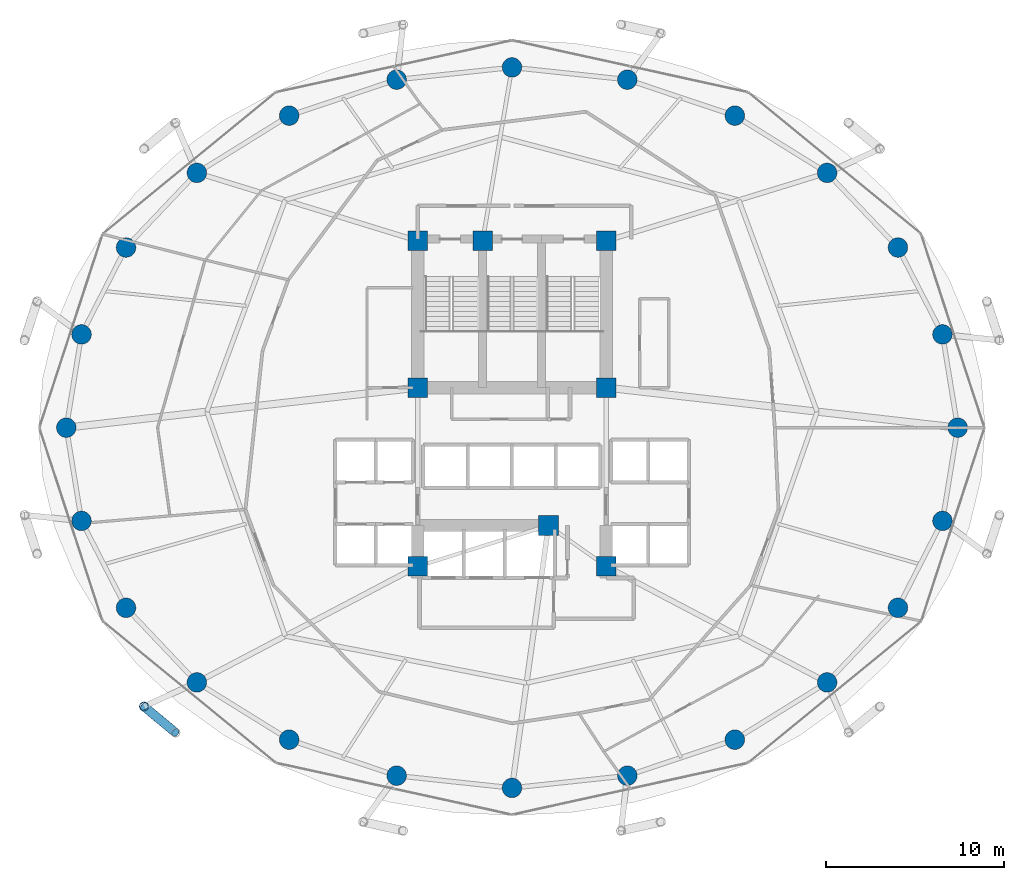
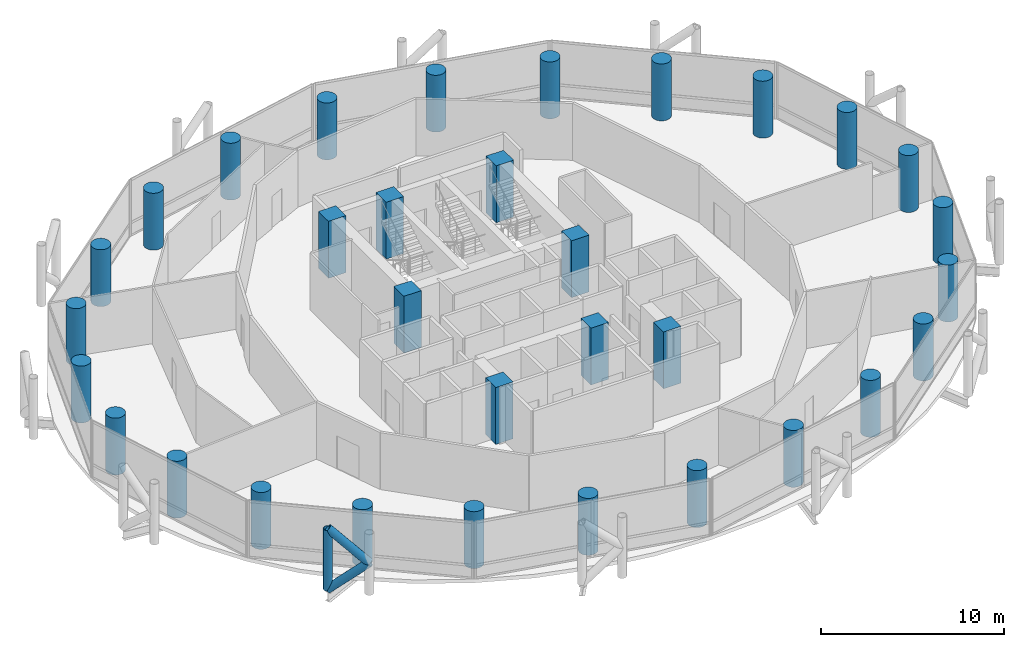
# One storey, part 1 of 24: 32 columns, 3 members.
"""IFC4 building model written with IfcOpenShell, lengths in metres."""

from ifc_helpers import new_model, si_unit, direction, frame, origin, origin_2d, place, context, subcontext, project, spatial, rectangle, circle, hollow_circle, extrude, material, material_profile, profile_set, type_object, element, save


model = new_model("IFC4")

# Units and contexts
model_context = context("Model", 3, precision=1e-05, world=origin(), true_north=direction((0.0, 1.0)))
body_context = subcontext(model_context, "Body", "Model", "MODEL_VIEW")
ifc_project = project(units=[si_unit("LENGTHUNIT", "METRE"), si_unit("AREAUNIT", "SQUARE_METRE"), si_unit("VOLUMEUNIT", "CUBIC_METRE"), si_unit("PLANEANGLEUNIT", "RADIAN"), si_unit("MASSUNIT", "GRAM", prefix="KILO")], contexts=[model_context])

# Site, building, storey
site_placement = place(None, origin())
site = spatial("IfcSite", under=ifc_project, at=site_placement, CompositionType="ELEMENT")
building_placement = place(site_placement, origin())
building = spatial("IfcBuilding", under=site, at=building_placement, Name="Nuhasar Tower", CompositionType="ELEMENT")
storey_placement = place(building_placement, frame((0.0, 0.0, 89.85009765625)))
storey = spatial("IfcBuildingStorey", under=building, at=storey_placement, Name="L21", CompositionType="ELEMENT", Elevation=89.85009765625)

# Columns
ifc_material_1 = material(Name="Concrete C80/95", Category="concrete")
ifc_material_profile_1 = material_profile(ifc_material_1, circle(Radius=0.550048828125, at=origin_2d()), Name="CFT1100")
ifc_profile_set_1 = profile_set([ifc_material_profile_1], Name="Concrete C80/95")
column_type_1 = type_object("IfcColumnType", Name="COL-CFT-1100", PredefinedType="COLUMN", material=ifc_profile_set_1)
for number, where, z_axis, x_axis, name in (
    (1, (64.050048828125, 26.800048828125, 0.0), (0.0, 0.0, 1.0), (1.0, 0.0, 0.0), "L21 Perimeter Composite Column TC-01"),
    (2, (63.196044921875, 32.041015625, 0.0), (0.0, 0.0, 1.0), (1.0, 0.0, 0.0), "L21 Perimeter Composite Column TC-02"),
    (3, (60.694091796875, 36.925048828125, 0.0), (0.0, 0.0, 1.0), (1.0, 0.0, 0.0), "L21 Perimeter Composite Column TC-03"),
    (4, (56.712890625, 41.118896484375, 0.0), (0.0, 0.0, 1.0), (1.0, 0.0, 0.0), "L21 Perimeter Composite Column TC-04"),
    (5, (51.52490234375, 44.3369140625, 0.0), (0.0, 0.0, 1.0), (1.0, 0.0, 0.0), "L21 Perimeter Composite Column TC-05"),
    (6, (45.48291015625, 46.360107421875, 0.0), (0.0, 0.0, 1.0), (1.0, 0.0, 0.0), "L21 Perimeter Composite Column TC-06"),
    (7, (39.0, 47.050048828125, 0.0), (0.0, 0.0, 1.0), (1.0, 0.0, 0.0), "L21 Perimeter Composite Column TC-07"),
    (8, (32.51708984375, 46.360107421875, 0.0), (0.0, 0.0, 1.0), (1.0, 0.0, 0.0), "L21 Perimeter Composite Column TC-08"),
    (9, (26.47509765625, 44.3369140625, 0.0), (0.0, 0.0, 1.0), (1.0, 0.0, 0.0), "L21 Perimeter Composite Column TC-09"),
    (10, (21.287109375, 41.118896484375, 0.0), (0.0, 0.0, 1.0), (1.0, 0.0, 0.0), "L21 Perimeter Composite Column TC-10"),
    (11, (17.305908203125, 36.925048828125, 0.0), (0.0, 0.0, 1.0), (1.0, 0.0, 0.0), "L21 Perimeter Composite Column TC-11"),
    (12, (14.803955078125, 32.041015625, 0.0), (0.0, 0.0, 1.0), (1.0, 0.0, 0.0), "L21 Perimeter Composite Column TC-12"),
    (13, (13.949951171875, 26.800048828125, 0.0), (0.0, 0.0, 1.0), (1.0, 0.0, 0.0), "L21 Perimeter Composite Column TC-13"),
    (14, (14.803955078125, 21.55908203125, 0.0), (0.0, 0.0, 1.0), (1.0, 0.0, 0.0), "L21 Perimeter Composite Column TC-14"),
    (15, (17.305908203125, 16.675048828125, 0.0), (0.0, 0.0, 1.0), (1.0, 0.0, 0.0), "L21 Perimeter Composite Column TC-15"),
    (16, (21.287109375, 12.48095703125, 0.0), (0.0, 0.0, 1.0), (1.0, 0.0, 0.0), "L21 Perimeter Composite Column TC-16"),
    (17, (26.47509765625, 9.262939453125, 0.0), (0.0, 0.0, 1.0), (1.0, 0.0, 0.0), "L21 Perimeter Composite Column TC-17"),
    (18, (32.51708984375, 7.239990234375, 0.0), (0.0, 0.0, 1.0), (1.0, 0.0, 0.0), "L21 Perimeter Composite Column TC-18"),
    (19, (39.0, 6.550048828125, 0.0), (0.0, 0.0, 1.0), (1.0, 0.0, 0.0), "L21 Perimeter Composite Column TC-19"),
    (20, (45.48291015625, 7.239990234375, 0.0), (0.0, 0.0, 1.0), (1.0, 0.0, 0.0), "L21 Perimeter Composite Column TC-20"),
    (21, (51.52490234375, 9.262939453125, 0.0), (0.0, 0.0, 1.0), (1.0, 0.0, 0.0), "L21 Perimeter Composite Column TC-21"),
    (22, (56.712890625, 12.48095703125, 0.0), (0.0, 0.0, 1.0), (1.0, 0.0, 0.0), "L21 Perimeter Composite Column TC-22"),
    (23, (60.694091796875, 16.675048828125, 0.0), (0.0, 0.0, 1.0), (1.0, 0.0, 0.0), "L21 Perimeter Composite Column TC-23"),
    (24, (63.196044921875, 21.55908203125, 0.0), (0.0, 0.0, 1.0), (1.0, 0.0, 0.0), "L21 Perimeter Composite Column TC-24"),
):
    element("IfcColumn", number, at=place(storey_placement, frame(where, z_axis=z_axis, x_axis=x_axis)), inside=storey, type_object=column_type_1, Name=name, PredefinedType="COLUMN", context=body_context, shape_type="SweptSolid", body=[
        extrude(circle(Radius=0.550048828125, at=origin_2d()), origin(), (0.0, 0.0, 1.0), 3.7998046875),
    ])
ifc_material_profile_2 = material_profile(ifc_material_1, rectangle(XDim=1.10009765625, YDim=1.10009765625, at=origin_2d()), Name="RC1100X1100")
ifc_profile_set_2 = profile_set([ifc_material_profile_2], Name="Concrete C80/95")
column_type_2 = type_object("IfcColumnType", Name="PIL-RC-1100", PredefinedType="PILASTER", material=ifc_profile_set_2)
for number, where, z_axis, x_axis, name in (
    (25, (33.699951171875, 19.0, 0.0), (0.0, 0.0, 1.0), (1.0, 0.0, 0.0), "L21 Core Boundary Pilaster CC-01"),
    (26, (41.050048828125, 21.300048828125, 0.0), (0.0, 0.0, 1.0), (1.0, 0.0, 0.0), "L21 Core Boundary Pilaster CC-02"),
    (27, (44.300048828125, 19.0, 0.0), (0.0, 0.0, 1.0), (1.0, 0.0, 0.0), "L21 Core Boundary Pilaster CC-03"),
    (28, (44.300048828125, 29.050048828125, 0.0), (0.0, 0.0, 1.0), (1.0, 0.0, 0.0), "L21 Core Boundary Pilaster CC-04"),
    (29, (44.300048828125, 37.300048828125, 0.0), (0.0, 0.0, 1.0), (1.0, 0.0, 0.0), "L21 Core Boundary Pilaster CC-05"),
    (30, (37.35009765625, 37.300048828125, 0.0), (0.0, 0.0, 1.0), (1.0, 0.0, 0.0), "L21 Core Boundary Pilaster CC-06"),
    (31, (33.699951171875, 37.300048828125, 0.0), (0.0, 0.0, 1.0), (1.0, 0.0, 0.0), "L21 Core Boundary Pilaster CC-07"),
    (32, (33.699951171875, 29.050048828125, 0.0), (0.0, 0.0, 1.0), (1.0, 0.0, 0.0), "L21 Core Boundary Pilaster CC-08"),
):
    element("IfcColumn", number, at=place(storey_placement, frame(where, z_axis=z_axis, x_axis=x_axis)), inside=storey, type_object=column_type_2, Name=name, PredefinedType="PILASTER", context=body_context, shape_type="SweptSolid", body=[
        extrude(rectangle(XDim=1.10009765625, YDim=1.10009765625, at=origin_2d()), origin(), (0.0, 0.0, 1.0), 3.7998046875),
    ])

# Members
ifc_material_2 = material(Name="Steel S460", Category="steel")
ifc_material_profile_3 = material_profile(ifc_material_2, hollow_circle(Radius=0.25390625, WallThickness=0.025390625, at=origin_2d()), Name="HSS508X25.4")
ifc_profile_set_3 = profile_set([ifc_material_profile_3], Name="Steel S460")
member_type = type_object("IfcMemberType", Name="EXO-BRONZE-508", PredefinedType="BRACE", material=ifc_profile_set_3)
member_placement = place(storey_placement, frame((18.31494140625, 11.12890625, 0.0), z_axis=(0.0, 0.0, 1.0), x_axis=(1.0, 0.0, 0.0)))
element("IfcMember", 33, at=member_placement, inside=storey, type_object=member_type, Name="L21 Exoskeleton Chord Column EC-08A", PredefinedType="BRACE", context=body_context, shape_type="SweptSolid", body=[
    extrude(hollow_circle(Radius=0.25390625, WallThickness=0.025390625, at=origin_2d()), origin(), (0.0, 0.0, 1.0), 4.0498046875),
])
for number, where, z_axis, x_axis, name in (
    (34, (18.31494140625, 11.12890625, 0.0), (0.578101613167, -0.478937034992, 0.660619286251), (0.637969333506, 0.770061769929, 0.0), "L21 Bronze Diagrid Brace W1-08"),
    (35, (20.0869140625, 9.660888671875, 2.02490234375), (-0.578101613167, 0.478937034992, 0.660619286251), (-0.637969333506, -0.770061769929, 0.0), "L21 Bronze Diagrid Brace W2-08"),
):
    element("IfcMember", number, at=place(storey_placement, frame(where, z_axis=z_axis, x_axis=x_axis)), inside=storey, type_object=member_type, Name=name, PredefinedType="BRACE", context=body_context, shape_type="SweptSolid", body=[
        extrude(hollow_circle(Radius=0.25390625, WallThickness=0.025390625, at=origin_2d()), origin(), (0.0, 0.0, 1.0), 3.065185546875),
    ])

save(model, "model.ifc")
